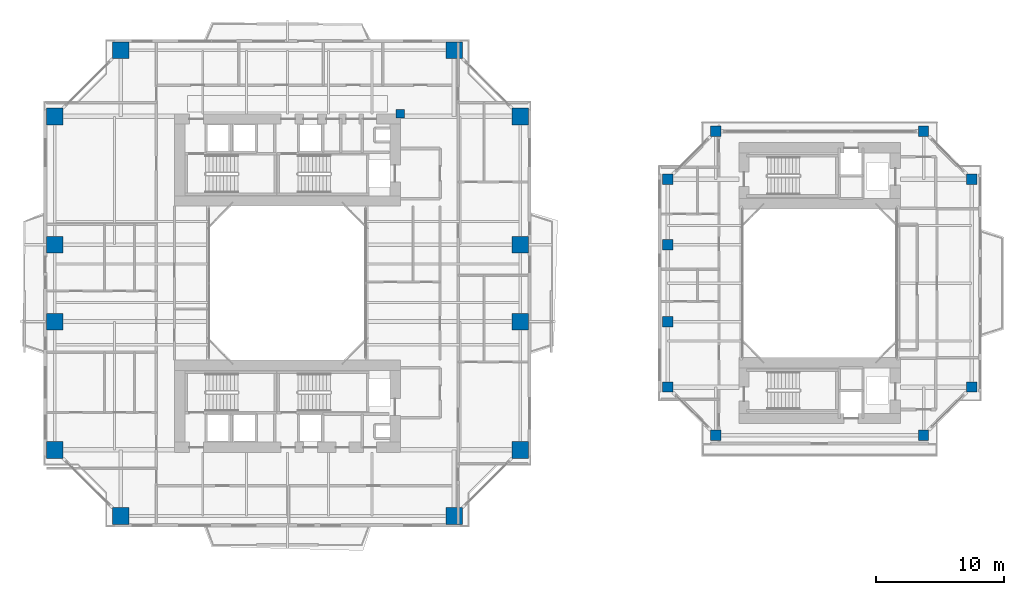
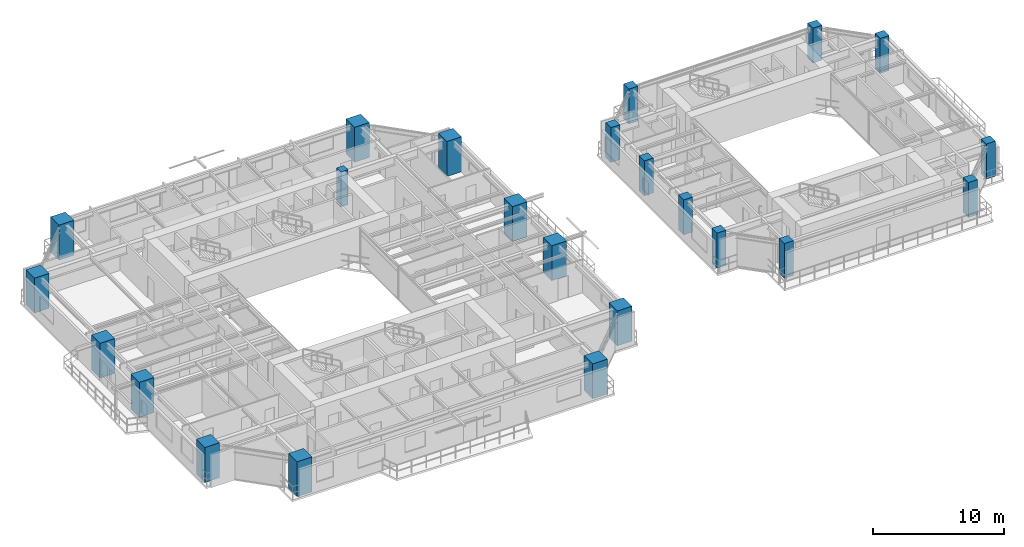
# One storey, part 1 of 24: 23 columns.
"""IFC4 building model written with IfcOpenShell, lengths in metres."""

from ifc_helpers import new_model, si_unit, direction, frame, origin, origin_2d, place, context, subcontext, project, spatial, rectangle, extrude, source, transform, mapped, material, material_profile, profile_set, type_object, element, save


model = new_model("IFC4")

# Units and contexts
model_context = context("Model", 3, precision=1e-05, world=origin(), true_north=direction((0.0, 1.0)))
body_context = subcontext(model_context, "Body", "Model", "MODEL_VIEW")
ifc_project = project(units=[si_unit("LENGTHUNIT", "METRE"), si_unit("AREAUNIT", "SQUARE_METRE"), si_unit("VOLUMEUNIT", "CUBIC_METRE"), si_unit("PLANEANGLEUNIT", "RADIAN"), si_unit("MASSUNIT", "GRAM", prefix="KILO"), si_unit("THERMODYNAMICTEMPERATUREUNIT", "KELVIN"), si_unit("POWERUNIT", "WATT")], contexts=[model_context])

# Site, building, storey
site_placement = place(None, origin())
site = spatial("IfcSite", under=ifc_project, at=site_placement, CompositionType="ELEMENT")
building_placement = place(site_placement, origin())
building = spatial("IfcBuilding", under=site, at=building_placement, Name="Qiaomeng Ring Towers", CompositionType="ELEMENT")
storey_placement = place(building_placement, frame((0.0, 0.0, 69.75)))
storey = spatial("IfcBuildingStorey", under=building, at=storey_placement, Name="L19", CompositionType="ELEMENT", Elevation=69.75)

# Columns
ifc_material_1 = material(Name="Concrete C50", Category="concrete")
ifc_material_profile_1 = material_profile(ifc_material_1, rectangle(XDim=0.64990234375, YDim=0.64990234375, at=origin_2d()), Name="RC COL 650x650")
ifc_profile_set_1 = profile_set([ifc_material_profile_1], Name="Concrete C50")
column_type_1 = type_object("IfcColumnType", Name="STR-PIL-650", PredefinedType="PILASTER", material=ifc_profile_set_1)
shared_shape_1 = source(origin(), body_context, "Body", "SweptSolid", [
    extrude(rectangle(XDim=0.64990234375, YDim=0.64990234375, at=origin_2d()), origin(), (0.0, 0.0, 1.0), 3.25),
])
column_placement = place(storey_placement, frame((27.800048828125, 36.199951171875, 0.0), z_axis=(0.0, 0.0, 1.0), x_axis=(1.0, 0.0, 0.0)))
element("IfcColumn", 1, at=column_placement, inside=storey, type_object=column_type_1, Name="L19 column STR-PIL-L19-N", PredefinedType="PILASTER", context=body_context, shape_type="MappedRepresentation", body=[
    mapped(shared_shape_1, transform((0.0, 0.0, 0.0), x_axis=(1.0, 0.0, 0.0), y_axis=(0.0, 1.0, 0.0), z_axis=(0.0, 0.0, 1.0), scale=1.0)),
])
ifc_material_2 = material(Name="Concrete C60", Category="concrete")
ifc_material_profile_2 = material_profile(ifc_material_2, rectangle(XDim=1.300048828125, YDim=1.300048828125, at=origin_2d()), Name="RC COL 1300x1300")
ifc_profile_set_2 = profile_set([ifc_material_profile_2], Name="Concrete C60")
column_type_2 = type_object("IfcColumnType", Name="STR-COL-1300", PredefinedType="COLUMN", material=ifc_profile_set_2)
shared_shape_2 = source(origin(), body_context, "Body", "SweptSolid", [
    extrude(rectangle(XDim=1.300048828125, YDim=1.300048828125, at=origin_2d()), origin(), (0.0, 0.0, 1.0), 3.25),
])
for number, where, z_axis, x_axis, name in (
    (2, (6.0, 4.85009765625, 0.0), (0.0, 0.0, 1.0), (1.0, 0.0, 0.0), "L19 column STR-COL-L19-T1-S1"),
    (3, (32.0, 4.85009765625, 0.0), (0.0, 0.0, 1.0), (1.0, 0.0, 0.0), "L19 column STR-COL-L19-T1-S2"),
    (4, (37.14990234375, 10.0, 0.0), (0.0, 0.0, 1.0), (1.0, 0.0, 0.0), "L19 column STR-COL-L19-T1-E1"),
    (5, (37.14990234375, 20.0, 0.0), (0.0, 0.0, 1.0), (1.0, 0.0, 0.0), "L19 column STR-COL-L19-T1-E2"),
    (6, (37.14990234375, 26.0, 0.0), (0.0, 0.0, 1.0), (1.0, 0.0, 0.0), "L19 column STR-COL-L19-T1-E3"),
    (7, (37.14990234375, 36.0, 0.0), (0.0, 0.0, 1.0), (1.0, 0.0, 0.0), "L19 column STR-COL-L19-T1-E4"),
    (8, (32.0, 41.14990234375, 0.0), (0.0, 0.0, 1.0), (1.0, 0.0, 0.0), "L19 column STR-COL-L19-T1-N2"),
    (9, (6.0, 41.14990234375, 0.0), (0.0, 0.0, 1.0), (1.0, 0.0, 0.0), "L19 column STR-COL-L19-T1-N1"),
    (10, (0.85009765625, 36.0, 0.0), (0.0, 0.0, 1.0), (1.0, 0.0, 0.0), "L19 column STR-COL-L19-T1-W4"),
    (11, (0.85009765625, 26.0, 0.0), (0.0, 0.0, 1.0), (1.0, 0.0, 0.0), "L19 column STR-COL-L19-T1-W3"),
    (12, (0.85009765625, 20.0, 0.0), (0.0, 0.0, 1.0), (1.0, 0.0, 0.0), "L19 column STR-COL-L19-T1-W2"),
    (13, (0.85009765625, 10.0, 0.0), (0.0, 0.0, 1.0), (1.0, 0.0, 0.0), "L19 column STR-COL-L19-T1-W1"),
):
    element("IfcColumn", number, at=place(storey_placement, frame(where, z_axis=z_axis, x_axis=x_axis)), inside=storey, type_object=column_type_2, Name=name, PredefinedType="COLUMN", context=body_context, shape_type="MappedRepresentation", body=[
        mapped(shared_shape_2, transform((0.0, 0.0, 0.0), x_axis=(1.0, 0.0, 0.0), y_axis=(0.0, 1.0, 0.0), z_axis=(0.0, 0.0, 1.0), scale=1.0)),
    ])
ifc_material_3 = material(Name="Concrete C55", Category="concrete")
ifc_material_profile_3 = material_profile(ifc_material_3, rectangle(XDim=0.800048828125, YDim=0.800048828125, at=origin_2d()), Name="RC COL 800x800")
ifc_profile_set_3 = profile_set([ifc_material_profile_3], Name="Concrete C55")
column_type_3 = type_object("IfcColumnType", Name="STR-COL-800-C55", PredefinedType="COLUMN", material=ifc_profile_set_3)
shared_shape_3 = source(origin(), body_context, "Body", "SweptSolid", [
    extrude(rectangle(XDim=0.800048828125, YDim=0.800048828125, at=origin_2d()), origin(), (0.0, 0.0, 1.0), 3.25),
])
for number, where, z_axis, x_axis, name in (
    (14, (52.39990234375, 11.14990234375, 0.0), (0.0, 0.0, 1.0), (1.0, 0.0, 0.0), "L19 column STR-COL-L19-T2-S1"),
    (15, (68.60009765625, 11.14990234375, 0.0), (0.0, 0.0, 1.0), (1.0, 0.0, 0.0), "L19 column STR-COL-L19-T2-S2"),
    (16, (72.35009765625, 14.89990234375, 0.0), (0.0, 0.0, 1.0), (1.0, 0.0, 0.0), "L19 column STR-COL-L19-T2-E1"),
    (17, (72.35009765625, 31.10009765625, 0.0), (0.0, 0.0, 1.0), (1.0, 0.0, 0.0), "L19 column STR-COL-L19-T2-E2"),
    (18, (68.60009765625, 34.85009765625, 0.0), (0.0, 0.0, 1.0), (1.0, 0.0, 0.0), "L19 column STR-COL-L19-T2-N2"),
    (19, (52.39990234375, 34.85009765625, 0.0), (0.0, 0.0, 1.0), (1.0, 0.0, 0.0), "L19 column STR-COL-L19-T2-N1"),
    (20, (48.64990234375, 14.89990234375, 0.0), (0.0, 0.0, 1.0), (1.0, 0.0, 0.0), "L19 column STR-COL-L19-T2-W1"),
    (21, (48.64990234375, 20.0, 0.0), (0.0, 0.0, 1.0), (1.0, 0.0, 0.0), "L19 column STR-COL-L19-T2-W2"),
    (22, (48.64990234375, 26.0, 0.0), (0.0, 0.0, 1.0), (1.0, 0.0, 0.0), "L19 column STR-COL-L19-T2-W3"),
    (23, (48.64990234375, 31.10009765625, 0.0), (0.0, 0.0, 1.0), (1.0, 0.0, 0.0), "L19 column STR-COL-L19-T2-W4"),
):
    element("IfcColumn", number, at=place(storey_placement, frame(where, z_axis=z_axis, x_axis=x_axis)), inside=storey, type_object=column_type_3, Name=name, PredefinedType="COLUMN", context=body_context, shape_type="MappedRepresentation", body=[
        mapped(shared_shape_3, transform((0.0, 0.0, 0.0), x_axis=(1.0, 0.0, 0.0), y_axis=(0.0, 1.0, 0.0), z_axis=(0.0, 0.0, 1.0), scale=1.0)),
    ])

save(model, "model.ifc")
